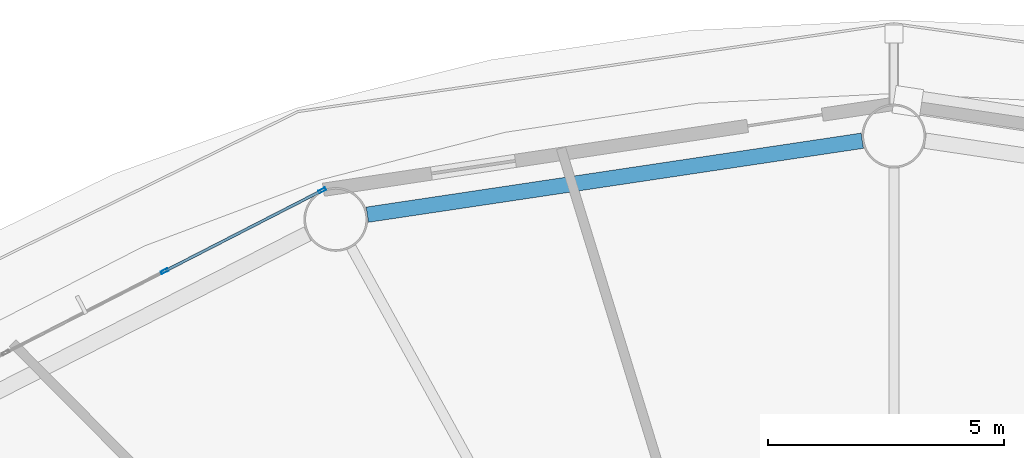
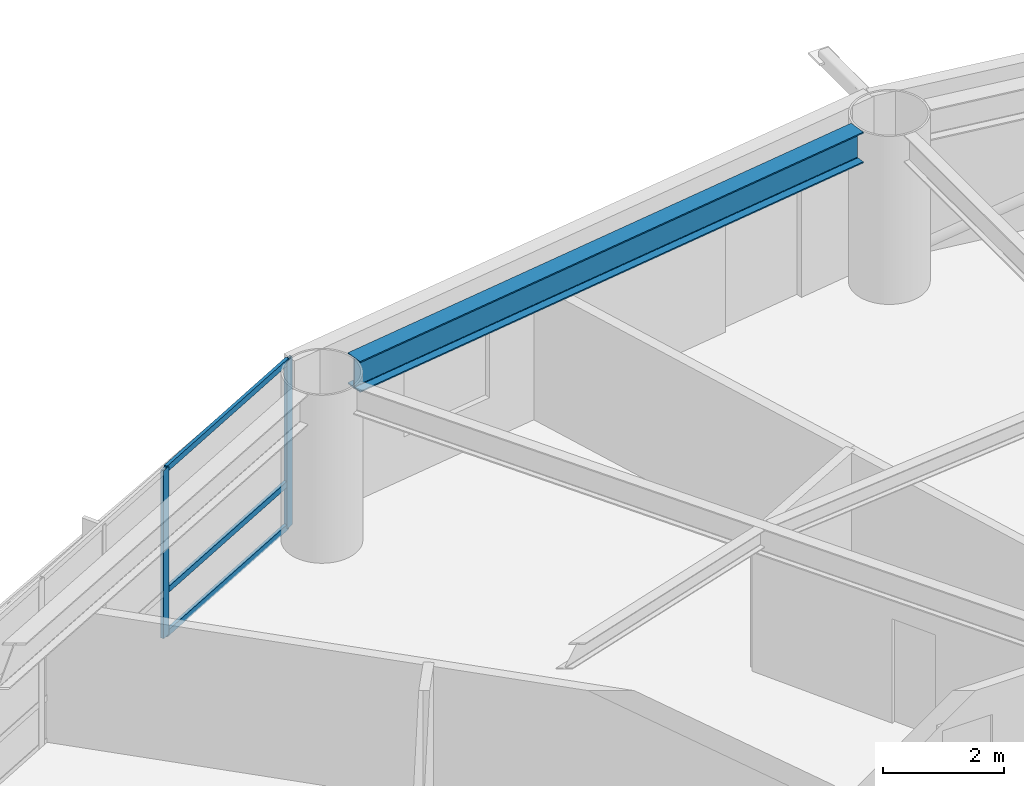
# One storey, part 12 of 26: 5 members, 1 beam, 1 element without a shape of its own.
"""IFC4 building model written with IfcOpenShell, lengths in metres."""

from ifc_helpers import new_model, si_unit, direction, frame, origin, origin_2d, place, context, subcontext, project, spatial, hollow_rectangle, i_section, extrude, material, layer, layer_set, material_profile, profile_set, type_object, element, aggregate, save


model = new_model("IFC4")

# Units and contexts
model_context = context("Model", 3, precision=1e-05, world=origin(), true_north=direction((0.0, 1.0)))
body_context = subcontext(model_context, "Body", "Model", "MODEL_VIEW")
ifc_project = project(units=[si_unit("LENGTHUNIT", "METRE"), si_unit("AREAUNIT", "SQUARE_METRE"), si_unit("VOLUMEUNIT", "CUBIC_METRE"), si_unit("PLANEANGLEUNIT", "RADIAN"), si_unit("MASSUNIT", "GRAM", prefix="KILO")], contexts=[model_context])

# Site, building, storey
site_placement = place(None, origin())
site = spatial("IfcSite", under=ifc_project, at=site_placement, CompositionType="ELEMENT")
building_placement = place(site_placement, origin())
building = spatial("IfcBuilding", under=site, at=building_placement, Name="Sarneth Arch Tower", CompositionType="ELEMENT")
storey_placement = place(building_placement, frame((0.0, 0.0, 49.800048828125)))
storey = spatial("IfcBuildingStorey", under=building, at=storey_placement, Name="L11", CompositionType="ELEMENT", Elevation=49.800048828125)

# Beam
ifc_material_1 = material(Name="Steel S355", Category="steel")
ifc_material_profile_1 = material_profile(ifc_material_1, i_section(OverallWidth=0.326904296875, OverallDepth=0.6220703125, WebThickness=0.015380859375, FlangeThickness=0.0244140625, FilletRadius=0.01904296875, at=origin_2d()), Name="W610x195")
ifc_profile_set_1 = profile_set([ifc_material_profile_1], Name="Steel S355")
beam_type = type_object("IfcBeamType", Name="BM-SPAN-610A", PredefinedType="SPANDREL", material=ifc_profile_set_1)
beam_placement = place(storey_placement, frame((47.33251953125, 65.100341796875, 3.06884765625), z_axis=(-0.989015788086, -0.147809914809, 0.0), x_axis=(0.147809914809, -0.989015788086, 0.0)))
element("IfcBeam", 1, at=beam_placement, inside=storey, type_object=beam_type, Name="L11 Perimeter spandrel beam 05", PredefinedType="SPANDREL", context=body_context, shape_type="SweptSolid", body=[
    extrude(i_section(OverallWidth=0.326904296875, OverallDepth=0.6220703125, WebThickness=0.015380859375, FlangeThickness=0.0244140625, FilletRadius=0.01904296875, at=origin_2d()), origin(), (0.0, 0.0, 1.0), 10.59912109375),
])

# Curtain wall, members
ifc_material_2 = material(Name="Anodised aluminium Type AA25 and solar-control low-e laminated IGU", Category="aluminium")
ifc_layer = layer(ifc_material_2, 0.159912109375)
ifc_layer_set = layer_set([ifc_layer], Name="Anodised aluminium Type AA25 and solar-control low-e laminated IGU")
curtain_wall_type = type_object("IfcCurtainWallType", Name="CW-HOTEL-LOW", PredefinedType="NOTDEFINED", material=ifc_layer_set)
curtain_wall_placement = place(storey_placement, origin())
curtain_wall = element("IfcCurtainWall", 2, at=curtain_wall_placement, inside=storey, type_object=curtain_wall_type, Name="L11 Unitised curtain wall facet 06", PredefinedType="NOTDEFINED")
ifc_material_3 = material(Name="Anodised Aluminium 6063-T6", Category="aluminium")
ifc_material_profile_2 = material_profile(ifc_material_3, hollow_rectangle(XDim=0.06005859375, YDim=0.159912109375, WallThickness=0.00390625, at=origin_2d()), Name="AL-MULL-160x60x4")
ifc_profile_set_2 = profile_set([ifc_material_profile_2], Name="Anodised Aluminium 6063-T6")
member_type_1 = type_object("IfcMemberType", Name="CW-MULLION", PredefinedType="MULLION", material=ifc_profile_set_2)
member_1_placement = place(storey_placement, frame((35.8955078125, 64.048583984375, 0.0), z_axis=(0.0, 0.0, 1.0), x_axis=(0.456245197127, -0.889854100456, 0.0)))
member_1 = element("IfcMember", 3, at=member_1_placement, type_object=member_type_1, Name="CW-SYS-3 mullion 1", PredefinedType="MULLION", context=body_context, shape_type="SweptSolid", body=[
    extrude(hollow_rectangle(XDim=0.06005859375, YDim=0.159912109375, WallThickness=0.00390625, at=origin_2d()), origin(), (0.0, 0.0, 1.0), 3.3798828125),
])
member_2_placement = place(storey_placement, frame((32.556640625, 62.336669921875, 0.0), z_axis=(0.0, 0.0, 1.0), x_axis=(0.456245197127, -0.889854100456, 0.0)))
member_2 = element("IfcMember", 4, at=member_2_placement, type_object=member_type_1, Name="CW-SYS-3 mullion 2", PredefinedType="MULLION", context=body_context, shape_type="SweptSolid", body=[
    extrude(hollow_rectangle(XDim=0.06005859375, YDim=0.159912109375, WallThickness=0.00390625, at=origin_2d()), origin(), (0.0, 0.0, 1.0), 3.3798828125),
])
ifc_material_4 = material(Name="Anodised Aluminium 6063-T6", Category="aluminium")
ifc_material_profile_3 = material_profile(ifc_material_4, hollow_rectangle(XDim=0.06005859375, YDim=0.1201171875, WallThickness=0.00390625, at=origin_2d()), Name="AL-TRAN-120x60x4")
ifc_profile_set_3 = profile_set([ifc_material_profile_3], Name="Anodised Aluminium 6063-T6")
member_type_2 = type_object("IfcMemberType", Name="CW-TRANSOM", PredefinedType="USERDEFINED", material=ifc_profile_set_3)
member_3_placement = place(storey_placement, frame((35.86865234375, 64.034912109375, 0.030029296875), z_axis=(-0.889831232102, -0.456289796485, 0.0), x_axis=(0.456289796485, -0.889831232102, 0.0)))
member_3 = element("IfcMember", 5, at=member_3_placement, type_object=member_type_2, Name="CW-SYS-3 transom 1.1", ObjectType="TRANSOM", PredefinedType="USERDEFINED", context=body_context, shape_type="SweptSolid", body=[
    extrude(hollow_rectangle(XDim=0.06005859375, YDim=0.1201171875, WallThickness=0.00390625, at=origin_2d()), origin(), (0.0, 0.0, 1.0), 3.69189453125),
])
member_4_placement = place(storey_placement, frame((35.86865234375, 64.034912109375, 0.89990234375), z_axis=(-0.889831232102, -0.456289796485, 0.0), x_axis=(0.456289796485, -0.889831232102, 0.0)))
member_4 = element("IfcMember", 6, at=member_4_placement, type_object=member_type_2, Name="CW-SYS-3 transom 1.2", ObjectType="TRANSOM", PredefinedType="USERDEFINED", context=body_context, shape_type="SweptSolid", body=[
    extrude(hollow_rectangle(XDim=0.06005859375, YDim=0.1201171875, WallThickness=0.00390625, at=origin_2d()), origin(), (0.0, 0.0, 1.0), 3.69189453125),
])
member_5_placement = place(storey_placement, frame((35.86865234375, 64.034912109375, 3.349853515625), z_axis=(-0.889831232102, -0.456289796485, 0.0), x_axis=(0.456289796485, -0.889831232102, 0.0)))
member_5 = element("IfcMember", 7, at=member_5_placement, type_object=member_type_2, Name="CW-SYS-3 transom 1.3", ObjectType="TRANSOM", PredefinedType="USERDEFINED", context=body_context, shape_type="SweptSolid", body=[
    extrude(hollow_rectangle(XDim=0.06005859375, YDim=0.1201171875, WallThickness=0.00390625, at=origin_2d()), origin(), (0.0, 0.0, 1.0), 3.69189453125),
])
aggregate(curtain_wall, [member_1, member_2, member_3, member_4, member_5])

save(model, "model.ifc")
